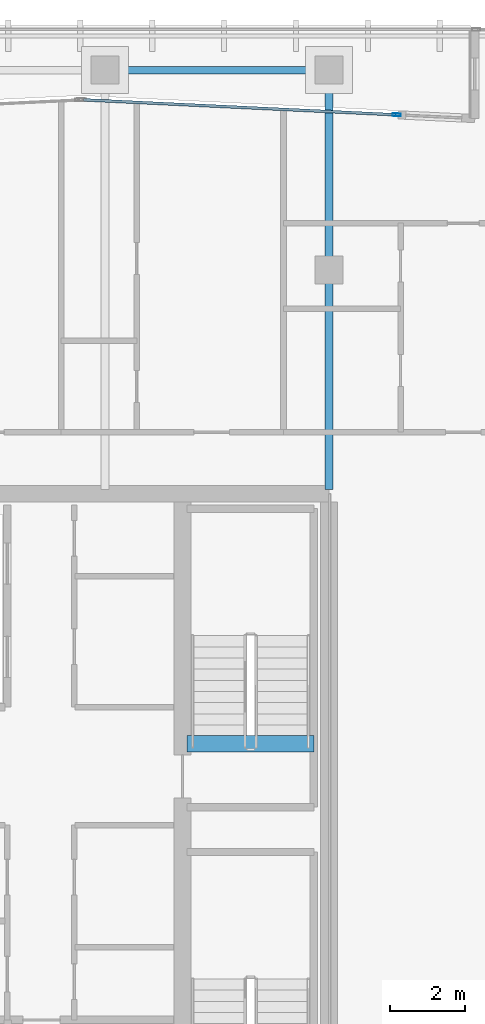
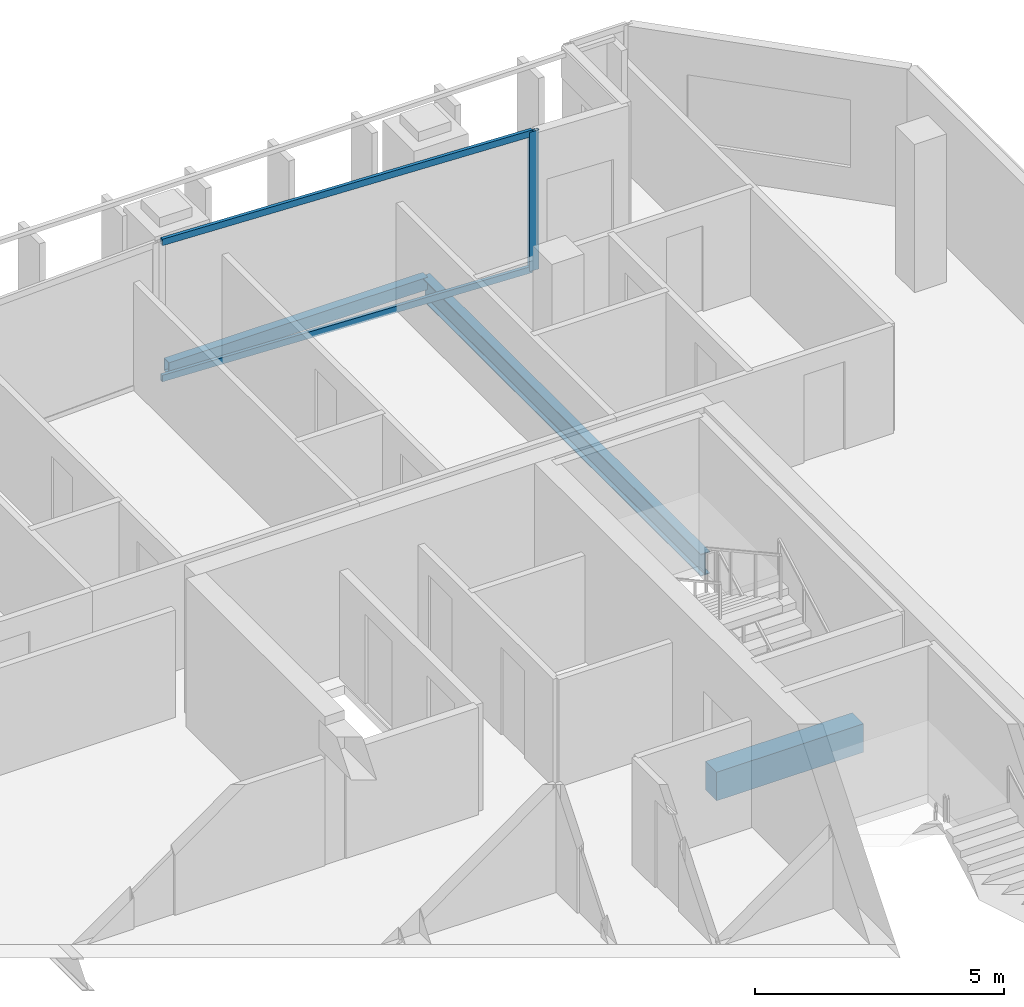
# One storey, part 17 of 31: 3 beams, 3 members, 1 element without a shape of its own.
"""IFC4 building model written with IfcOpenShell, lengths in metres."""

import ifcopenshell
import ifcopenshell.guid

model = None  # the IFC model being written
_history = None  # IfcOwnerHistory: only IFC2X3 demands one
_inside = {}  # id of a spatial element -> (the spatial element, [elements in it])
_under = {}  # id of a project, library or spatial element -> (it, [spatial elements below it])
_declared = {}  # id of a project -> (the project, [libraries it declares])
_typed = {}  # id of a type object -> (the type object, [elements of that type])
_made_of = {}  # id of a material, layer set ... -> (it, [elements and type objects made of it])


def new_model(schema):
    """Start an empty IFC model of exactly this schema.

    Asked for "IFC4X3", IfcOpenShell would pick the latest addendum, in which some entities
    have other attributes; the version numbers below select the first issue.
    IFC2X3 requires an IfcOwnerHistory on every rooted entity: one is made here for all.
    """
    global model, _history
    if schema == "IFC4X3":
        model = ifcopenshell.file(schema_version=(4, 3, 0, 0))
    else:
        model = ifcopenshell.file(schema=schema)
    _inside.clear()
    _under.clear()
    _declared.clear()
    _typed.clear()
    _made_of.clear()
    _history = None
    if model.schema == "IFC2X3":
        org = make("IfcOrganization", Name="unknown")
        user = make(
            "IfcPersonAndOrganization",
            ThePerson=make("IfcPerson", FamilyName="unknown"),
            TheOrganization=org,
        )
        app = make(
            "IfcApplication",
            ApplicationDeveloper=org,
            Version="unknown",
            ApplicationFullName="unknown",
            ApplicationIdentifier="unknown",
        )
        _history = make(
            "IfcOwnerHistory",
            OwningUser=user,
            OwningApplication=app,
            ChangeAction="ADDED",
            CreationDate=0,
        )
    return model


def make(cls, **values):
    """One entity of the class cls with the attributes given. An attribute that is None is left unset."""
    return model.create_entity(
        cls, **{name: value for name, value in values.items() if value is not None}
    )


def rooted(cls, **values):
    """An entity with a GlobalId (a new one), such as an element, a storey or a relation."""
    return make(cls, GlobalId=ifcopenshell.guid.new(), OwnerHistory=_history, **values)


def si_unit(unit_type, name, prefix=None):
    """IfcSIUnit, for example si_unit("LENGTHUNIT", "METRE", prefix="MILLI")."""
    return make("IfcSIUnit", UnitType=unit_type, Prefix=prefix, Name=name)


def assignment(units):
    """IfcUnitAssignment: the units of a project."""
    return None if units is None else make("IfcUnitAssignment", Units=units)


def point(xyz):
    """IfcCartesianPoint."""
    return None if xyz is None else make("IfcCartesianPoint", Coordinates=xyz)


def direction(xyz):
    """IfcDirection."""
    return None if xyz is None else make("IfcDirection", DirectionRatios=xyz)


def frame(location, z_axis=None, x_axis=None):
    """IfcAxis2Placement3D, a coordinate frame: its origin and axes. An axis left out is left unset."""
    return make(
        "IfcAxis2Placement3D",
        Location=point(location),
        Axis=direction(z_axis),
        RefDirection=direction(x_axis),
    )


def frame_2d(location, x_axis=None):
    """IfcAxis2Placement2D, a coordinate frame in the plane: its origin and x axis."""
    return make(
        "IfcAxis2Placement2D", Location=point(location), RefDirection=direction(x_axis)
    )


def origin():
    """The frame at (0, 0, 0) with its axes left unset."""
    return frame((0.0, 0.0, 0.0))


def origin_2d():
    """The frame at (0, 0) in the plane with its x axis left unset."""
    return frame_2d((0.0, 0.0))


def place(relative_to, where):
    """IfcLocalPlacement: puts the frame where relative to a parent placement (None: the world)."""
    return make(
        "IfcLocalPlacement", PlacementRelTo=relative_to, RelativePlacement=where
    )


def context(
    kind, dimensions, precision=None, world=None, true_north=None, identifier=None
):
    """IfcGeometricRepresentationContext, for example the 3D "Model" context."""
    return make(
        "IfcGeometricRepresentationContext",
        ContextIdentifier=identifier,
        ContextType=kind,
        CoordinateSpaceDimension=dimensions,
        Precision=precision,
        WorldCoordinateSystem=world,
        TrueNorth=true_north,
    )


def subcontext(parent, identifier, kind, view, scale=None):
    """IfcGeometricRepresentationSubContext, for example "Body" below "Model"."""
    return make(
        "IfcGeometricRepresentationSubContext",
        ContextIdentifier=identifier,
        ContextType=kind,
        ParentContext=parent,
        TargetScale=scale,
        TargetView=view,
    )


def project(units=None, contexts=None):
    """IfcProject with its units and contexts."""
    return rooted(
        "IfcProject",
        Name="project",
        RepresentationContexts=contexts,
        UnitsInContext=assignment(units),
    )


def spatial(cls, under=None, at=None, **own):
    """A site, building, storey or space (cls), placed at a placement, below another one or the project."""
    s = rooted(cls, ObjectPlacement=at, **own)
    if under is not None:
        _under.setdefault(under.id(), (under, []))[1].append(s)
    return s


def profile(cls, at=None, kind="AREA", **sizes):
    """A parametric profile (cls). Its sizes go by their IFC names, for example OverallWidth=200.0."""
    return make(cls, ProfileType=kind, Position=at, **sizes)


def rectangle(**sizes):
    """IfcRectangleProfileDef."""
    return profile("IfcRectangleProfileDef", **sizes)


def hollow_rectangle(**sizes):
    """IfcRectangleHollowProfileDef."""
    return profile("IfcRectangleHollowProfileDef", **sizes)


def i_section(**sizes):
    """IfcIShapeProfileDef."""
    return profile("IfcIShapeProfileDef", **sizes)


def extrude(swept, where, along, depth):
    """IfcExtrudedAreaSolid: the profile swept, set in the frame where, extruded along a direction by depth."""
    return make(
        "IfcExtrudedAreaSolid",
        SweptArea=swept,
        Position=where,
        ExtrudedDirection=direction(along),
        Depth=depth,
    )


def shape(context_of_items, identifier, shape_type, items):
    """IfcShapeRepresentation: the items that make up one representation, for example the "Body"."""
    return make(
        "IfcShapeRepresentation",
        ContextOfItems=context_of_items,
        RepresentationIdentifier=identifier,
        RepresentationType=shape_type,
        Items=items,
    )


def material(Name=None, Category=None):
    """IfcMaterial."""
    return make("IfcMaterial", Name=Name, Category=Category)


def layer(
    of_material, thickness, ventilated=None, Name=None, Category=None, Priority=None
):
    """IfcMaterialLayer: one layer of a wall or slab, of a material (None: an air gap)."""
    return make(
        "IfcMaterialLayer",
        Material=of_material,
        LayerThickness=thickness,
        IsVentilated=ventilated,
        Name=Name,
        Category=Category,
        Priority=Priority,
    )


def layer_set(layers, Name=None):
    """IfcMaterialLayerSet."""
    return make("IfcMaterialLayerSet", MaterialLayers=layers, LayerSetName=Name)


def material_profile(
    of_material, cross_section, Name=None, Category=None, Priority=None
):
    """IfcMaterialProfile: a cross section and its material."""
    return make(
        "IfcMaterialProfile",
        Name=Name,
        Material=of_material,
        Profile=cross_section,
        Priority=Priority,
        Category=Category,
    )


def profile_set(profiles, Name=None, composite=None):
    """IfcMaterialProfileSet."""
    return make(
        "IfcMaterialProfileSet",
        Name=Name,
        MaterialProfiles=profiles,
        CompositeProfile=composite,
    )


def made_of(thing, what):
    """Note that an element or type object is made of a material, layer set ...; save() writes the relation."""
    if what is not None:
        _made_of.setdefault(what.id(), (what, []))[1].append(thing)
    return thing


def type_object(cls, material=None, **own):
    """A type object (cls), such as IfcWallType, which elements share."""
    return made_of(rooted(cls, **own), material)


def element(
    cls,
    number,
    at=None,
    inside=None,
    cuts=None,
    type_object=None,
    material=None,
    context=None,
    identifier="Body",
    shape_type=None,
    held_by="IfcProductDefinitionShape",
    body=None,
    shapes=None,
    **own,
):
    """One element of the class cls, such as IfcWall. Its Tag is "e" and its number.

    at: its placement. inside: the storey or other place that contains it. cuts: it is an
    opening in that element (IfcRelVoidsElement). A single representation is given by context,
    identifier, shape_type and body (its items); several are given by shapes. held_by: the class
    of the entity that holds the representations. save() writes the other relations.
    """
    e = rooted(cls, Tag="e%d" % number, ObjectPlacement=at, **own)
    if body is not None:
        shapes = [shape(context, identifier, shape_type, body)]
    if shapes is not None:
        e.Representation = make(held_by, Representations=shapes)
    if inside is not None:
        _inside.setdefault(inside.id(), (inside, []))[1].append(e)
    if cuts is not None:
        rooted(
            "IfcRelVoidsElement", RelatingBuildingElement=cuts, RelatedOpeningElement=e
        )
    if type_object is not None:
        _typed.setdefault(type_object.id(), (type_object, []))[1].append(e)
    return made_of(e, material)


def aggregate(whole, parts):
    """IfcRelAggregates: a whole, such as a stair, and the parts it consists of."""
    return rooted("IfcRelAggregates", RelatingObject=whole, RelatedObjects=parts)


def save(model, path):
    """Write the relations noted so far, then the file.

    IfcRelAggregates (storeys below a building ...), IfcRelContainedInSpatialStructure (elements
    in a storey), IfcRelDefinesByType, IfcRelAssociatesMaterial and IfcRelDeclares: one each for
    every whole, place, type object, material and project.
    """
    for whole, parts in _under.values():
        aggregate(whole, parts)
    for where, things in _inside.values():
        rooted(
            "IfcRelContainedInSpatialStructure",
            RelatedElements=things,
            RelatingStructure=where,
        )
    for kind, things in _typed.values():
        rooted("IfcRelDefinesByType", RelatedObjects=things, RelatingType=kind)
    for what, things in _made_of.values():
        rooted("IfcRelAssociatesMaterial", RelatedObjects=things, RelatingMaterial=what)
    for by, libraries in _declared.values():
        rooted("IfcRelDeclares", RelatingContext=by, RelatedDefinitions=libraries)
    model.write(path)


model = new_model("IFC4")

# Units and contexts
model_context = context("Model", 3, precision=1e-05, world=origin(), true_north=direction((0.0, 1.0)))
body_context = subcontext(model_context, "Body", "Model", "MODEL_VIEW")
ifc_project = project(units=[si_unit("LENGTHUNIT", "METRE"), si_unit("AREAUNIT", "SQUARE_METRE"), si_unit("VOLUMEUNIT", "CUBIC_METRE"), si_unit("PLANEANGLEUNIT", "RADIAN"), si_unit("MASSUNIT", "GRAM", prefix="KILO")], contexts=[model_context])

# Site, building, storey
site_placement = place(None, origin())
site = spatial("IfcSite", under=ifc_project, at=site_placement, CompositionType="ELEMENT")
building_placement = place(site_placement, origin())
building = spatial("IfcBuilding", under=site, at=building_placement, Name="Tanjung Sevakor Pilgrim Tower", CompositionType="ELEMENT")
storey_placement = place(building_placement, frame((0.0, 0.0, 208.22998046875)))
storey = spatial("IfcBuildingStorey", under=building, at=storey_placement, Name="L58", CompositionType="ELEMENT", Elevation=208.22998046875)

# Beams
ifc_material_1 = material(Name="Steel S355J2", Category="steel")
ifc_material_profile_1 = material_profile(ifc_material_1, i_section(OverallWidth=0.2119140625, OverallDepth=0.54443359375, WebThickness=0.0126953125, FlangeThickness=0.021240234375, FilletRadius=0.0126953125, at=origin_2d()))
ifc_profile_set_1 = profile_set([ifc_material_profile_1], Name="Steel S355J2")
beam_type_1 = type_object("IfcBeamType", Name="BM-B-G5-UB_533x210x122", PredefinedType="BEAM", material=ifc_profile_set_1)
beam_1_placement = place(storey_placement, frame((90.0, 42.714599609375, -0.4921875), z_axis=(0.0, 1.0, 0.0), x_axis=(-1.0, 0.0, 0.0)))
element("IfcBeam", 1, at=beam_1_placement, inside=storey, type_object=beam_type_1, Name="L58 MAIN Girder 026", PredefinedType="BEAM", context=body_context, shape_type="SweptSolid", body=[
    extrude(i_section(OverallWidth=0.2119140625, OverallDepth=0.54443359375, WebThickness=0.0126953125, FlangeThickness=0.021240234375, FilletRadius=0.0126953125, at=origin_2d()), origin(), (0.0, 0.0, 1.0), 11.2353515625),
])
ifc_material_2 = material(Name="Concrete C60/75", Category="concrete")
ifc_material_profile_2 = material_profile(ifc_material_2, rectangle(XDim=0.449951171875, YDim=0.699951171875, at=origin_2d()))
ifc_profile_set_2 = profile_set([ifc_material_profile_2], Name="Concrete C60/75")
beam_type_2 = type_object("IfcBeamType", Name="BM-B-LN3-RC-BM_450x700", PredefinedType="LINTEL", material=ifc_profile_set_2)
beam_2_placement = place(storey_placement, frame((86.199951171875, 35.89990234375, -0.35009765625), z_axis=(1.0, 0.0, 0.0), x_axis=(0.0, 1.0, 0.0)))
element("IfcBeam", 2, at=beam_2_placement, inside=storey, type_object=beam_type_2, Name="L58 TS-E2 Stair Threshold Beam", PredefinedType="LINTEL", context=body_context, shape_type="SweptSolid", body=[
    extrude(rectangle(XDim=0.449951171875, YDim=0.699951171875, at=origin_2d()), origin(), (0.0, 0.0, 1.0), 3.400146484375),
])
ifc_material_3 = material(Name="Steel S355J2", Category="steel")
ifc_material_profile_3 = material_profile(ifc_material_3, hollow_rectangle(XDim=0.199951171875, YDim=0.300048828125, WallThickness=0.012451171875, at=origin_2d()))
ifc_profile_set_3 = profile_set([ifc_material_profile_3], Name="Steel S355J2")
beam_type_3 = type_object("IfcBeamType", Name="BM-B-SP3-RHS_300x200x12.5", PredefinedType="SPANDREL", material=ifc_profile_set_3)
beam_3_placement = place(storey_placement, frame((84.0, 53.949951171875, -0.369873046875), z_axis=(1.0, 0.0, 0.0), x_axis=(0.0, 1.0, 0.0)))
element("IfcBeam", 3, at=beam_3_placement, inside=storey, type_object=beam_type_3, Name="L58 Spandrel MAIN N-16", PredefinedType="SPANDREL", context=body_context, shape_type="SweptSolid", body=[
    extrude(hollow_rectangle(XDim=0.199951171875, YDim=0.300048828125, WallThickness=0.012451171875, at=origin_2d()), origin(), (0.0, 0.0, 1.0), 6.0),
])

# Curtain wall, members
ifc_material_4 = material(Name="Aluminium 6063-T6 and Low-E Glass", Category="aluminium")
ifc_layer = layer(ifc_material_4, 0.199951171875)
ifc_layer_set = layer_set([ifc_layer], Name="CW-SYS-PRAY")
curtain_wall_type = type_object("IfcCurtainWallType", Name="CW-SYS-PRAY", PredefinedType="NOTDEFINED", material=ifc_layer_set)
curtain_wall_placement = place(storey_placement, origin())
curtain_wall = element("IfcCurtainWall", 4, at=curtain_wall_placement, inside=storey, type_object=curtain_wall_type, Name="L58 Curtain Wall CW-PRY-L58-20B", PredefinedType="NOTDEFINED")
ifc_material_5 = material(Name="Aluminium 6063-T6", Category="aluminium")
ifc_material_profile_4 = material_profile(ifc_material_5, hollow_rectangle(XDim=0.074951171875, YDim=0.219970703125, WallThickness=0.0048828125, at=origin_2d()))
ifc_profile_set_4 = profile_set([ifc_material_profile_4], Name="Aluminium 6063-T6")
member_type_1 = type_object("IfcMemberType", Name="TYPE-CWM-2", PredefinedType="MULLION", material=ifc_profile_set_4)
member_1_placement = place(storey_placement, frame((91.81494140625, 52.7548828125, 0.0), z_axis=(0.0, 0.0, 1.0), x_axis=(-0.047790644983, -0.998857374329, 0.0)))
member_1 = element("IfcMember", 5, at=member_1_placement, type_object=member_type_1, Name="CW-PRY mullion 1", PredefinedType="MULLION", context=body_context, shape_type="SweptSolid", body=[
    extrude(hollow_rectangle(XDim=0.074951171875, YDim=0.219970703125, WallThickness=0.0048828125, at=origin_2d()), origin(), (0.0, 0.0, 1.0), 3.409912109375),
])
ifc_material_6 = material(Name="Aluminium 6063-T6", Category="aluminium")
ifc_material_profile_5 = material_profile(ifc_material_6, hollow_rectangle(XDim=0.074951171875, YDim=0.159912109375, WallThickness=0.00439453125, at=origin_2d()))
ifc_profile_set_5 = profile_set([ifc_material_profile_5], Name="Aluminium 6063-T6")
member_type_2 = type_object("IfcMemberType", Name="TYPE-CWT-2", PredefinedType="USERDEFINED", material=ifc_profile_set_5)
member_2_placement = place(storey_placement, frame((91.777587890625, 52.756591796875, 0.03759765625), z_axis=(-0.998857279192, 0.047792633386, 0.0), x_axis=(-0.047792633386, -0.998857279192, 0.0)))
member_2 = element("IfcMember", 6, at=member_2_placement, type_object=member_type_2, Name="CW-PRY transom 1.1", ObjectType="TRANSOM", PredefinedType="USERDEFINED", context=body_context, shape_type="SweptSolid", body=[
    extrude(hollow_rectangle(XDim=0.074951171875, YDim=0.159912109375, WallThickness=0.00439453125, at=origin_2d()), origin(), (0.0, 0.0, 1.0), 8.3623046875),
])
member_3_placement = place(storey_placement, frame((91.777587890625, 52.756591796875, 3.37255859375), z_axis=(-0.998857279192, 0.047792633386, 0.0), x_axis=(-0.047792633386, -0.998857279192, 0.0)))
member_3 = element("IfcMember", 7, at=member_3_placement, type_object=member_type_2, Name="CW-PRY transom 1.2", ObjectType="TRANSOM", PredefinedType="USERDEFINED", context=body_context, shape_type="SweptSolid", body=[
    extrude(hollow_rectangle(XDim=0.074951171875, YDim=0.159912109375, WallThickness=0.00439453125, at=origin_2d()), origin(), (0.0, 0.0, 1.0), 8.3623046875),
])
aggregate(curtain_wall, [member_1, member_2, member_3])

save(model, "model.ifc")
